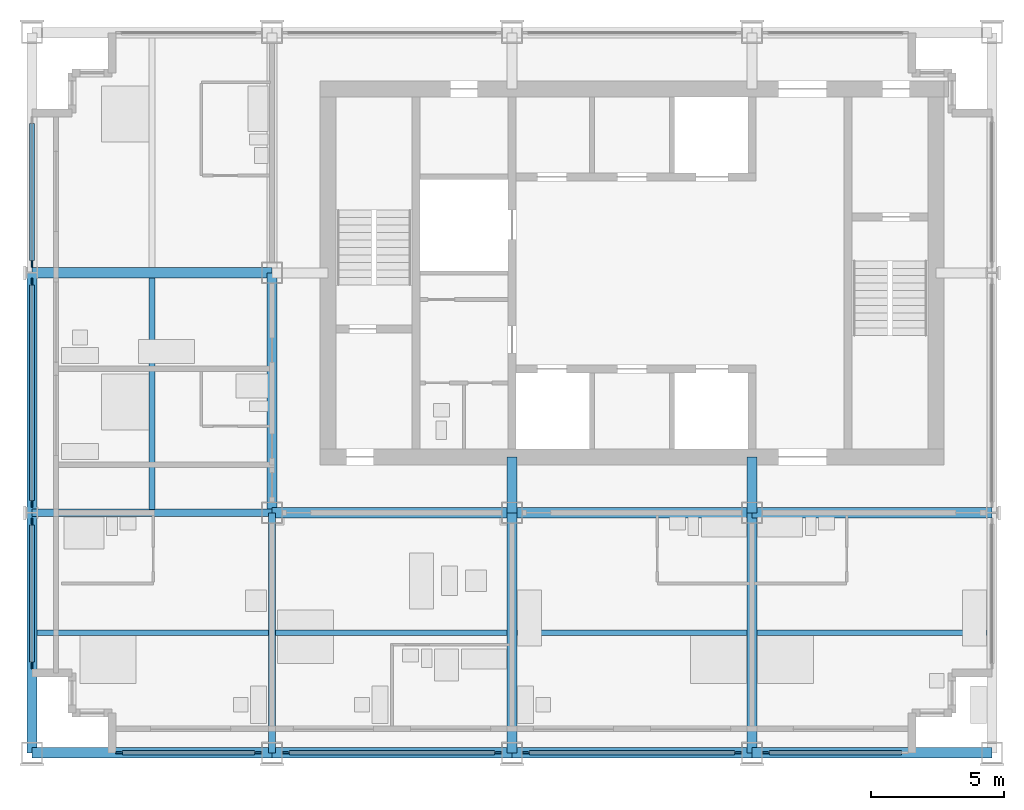
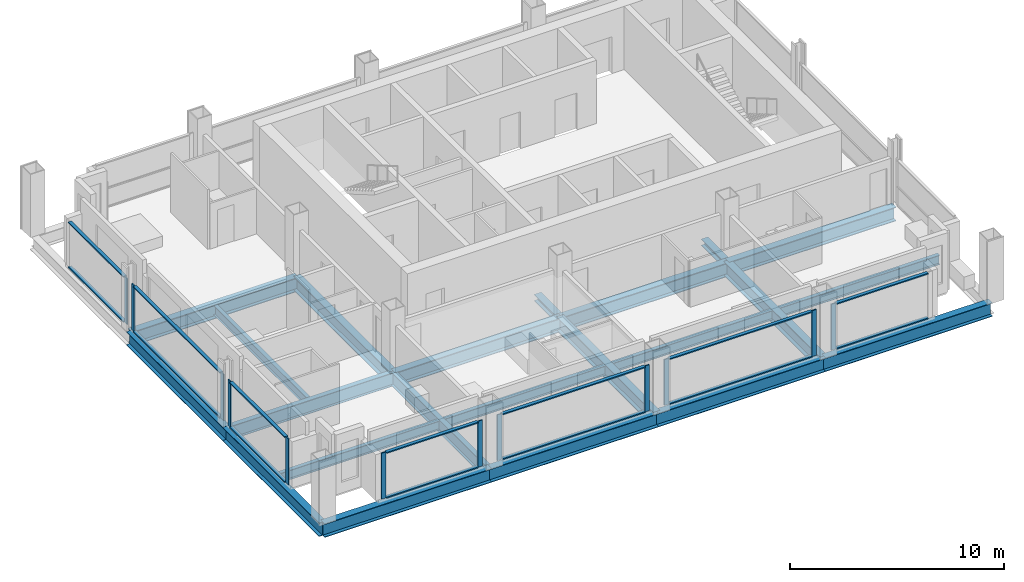
# One storey, part 2 of 11: 28 members, 20 beams, 7 elements without a shape of their own.
"""IFC4 building model written with IfcOpenShell, lengths in metres."""

from ifc_helpers import new_model, si_unit, direction, frame, origin, origin_2d, place, context, subcontext, project, spatial, rectangle, i_section, extrude, material, material_profile, profile_set, type_object, element, aggregate, save


model = new_model("IFC4")

# Units and contexts
model_context = context("Model", 3, precision=1e-05, world=origin(), true_north=direction((0.0, 1.0)))
body_context = subcontext(model_context, "Body", "Model", "MODEL_VIEW")
ifc_project = project(units=[si_unit("LENGTHUNIT", "METRE"), si_unit("AREAUNIT", "SQUARE_METRE"), si_unit("VOLUMEUNIT", "CUBIC_METRE"), si_unit("PLANEANGLEUNIT", "RADIAN"), si_unit("MASSUNIT", "GRAM", prefix="KILO")], contexts=[model_context])

# Site, building, storey
site_placement = place(None, origin())
site = spatial("IfcSite", under=ifc_project, at=site_placement, CompositionType="ELEMENT")
building_placement = place(site_placement, origin())
building = spatial("IfcBuilding", under=site, at=building_placement, Name="Loomwork Tower", CompositionType="ELEMENT")
storey_placement = place(building_placement, frame((0.0, 0.0, 241.0)))
storey = spatial("IfcBuildingStorey", under=building, at=storey_placement, Name="L66", CompositionType="ELEMENT", Elevation=241.0)

# Beams
ifc_material_1 = material(Name="Steel ASTM A992", Category="steel")
ifc_material_profile_1 = material_profile(ifc_material_1, i_section(OverallWidth=0.383544921875, OverallDepth=0.794921875, WebThickness=0.02099609375, FlangeThickness=0.0380859375, at=origin_2d()), Name="W30x235")
ifc_profile_set_1 = profile_set([ifc_material_profile_1], Name="Steel ASTM A992")
beam_type_1 = type_object("IfcBeamType", Name="CORE FLANK GIRDER W30x235", PredefinedType="BEAM", material=ifc_profile_set_1)
for number, where, z_axis, x_axis, name in (
    (1, (9.0, 9.0, -0.597412109375), (1.0, 0.0, 0.0), (0.0, 1.0, 0.0), "Core Flank Girder E/3-E/4 L66"),
    (2, (18.0, 9.0, -0.597412109375), (1.0, 0.0, 0.0), (0.0, 1.0, 0.0), "Core Flank Girder E/4-E/5 L66"),
    (3, (27.0, 9.0, -0.597412109375), (1.0, 0.0, 0.0), (0.0, 1.0, 0.0), "Core Flank Girder E/5-E/6 L66"),
    (4, (0.0, 18.0, -0.597412109375), (1.0, 0.0, 0.0), (0.0, 1.0, 0.0), "Core Flank Girder F/2-F/3 L66"),
    (5, (9.0, 9.0, -0.597412109375), (0.0, 1.0, 0.0), (-1.0, 0.0, 0.0), "Core Flank Girder E/3-F/3 L66"),
    (6, (18.0, 0.0, -0.597412109375), (0.0, 1.0, 0.0), (-1.0, 0.0, 0.0), "Core Flank Girder D/4-E/4 L66"),
    (7, (27.0, 0.0, -0.597412109375), (0.0, 1.0, 0.0), (-1.0, 0.0, 0.0), "Core Flank Girder D/5-E/5 L66"),
):
    element("IfcBeam", number, at=place(storey_placement, frame(where, z_axis=z_axis, x_axis=x_axis)), inside=storey, type_object=beam_type_1, Name=name, PredefinedType="BEAM", context=body_context, shape_type="SweptSolid", body=[
        extrude(i_section(OverallWidth=0.383544921875, OverallDepth=0.794921875, WebThickness=0.02099609375, FlangeThickness=0.0380859375, at=origin_2d()), origin(), (0.0, 0.0, 1.0), 9.0),
    ])

# Members
ifc_material_2 = material(Name="Steel ASTM A992", Category="steel")
ifc_material_profile_2 = material_profile(ifc_material_2, i_section(OverallWidth=0.373291015625, OverallDepth=0.373291015625, WebThickness=0.016357421875, FlangeThickness=0.026123046875, at=origin_2d()), Name="W14x132")
ifc_profile_set_2 = profile_set([ifc_material_profile_2], Name="Steel ASTM A992")
member_type_1 = type_object("IfcMemberType", Name="CORE LINK STRUT W14x132", PredefinedType="STRUT", material=ifc_profile_set_2)
for number, where, z_axis, x_axis, name in (
    (8, (18.0, 9.0, -0.38671875), (0.0, 1.0, 0.0), (-1.0, 0.0, 0.0), "Core link strut E/4-18.000,11.100 L66"),
    (9, (27.0, 9.0, -0.38671875), (0.0, 1.0, 0.0), (-1.0, 0.0, 0.0), "Core link strut E/5-27.000,11.100 L66"),
):
    element("IfcMember", number, at=place(storey_placement, frame(where, z_axis=z_axis, x_axis=x_axis)), inside=storey, type_object=member_type_1, Name=name, PredefinedType="STRUT", context=body_context, shape_type="SweptSolid", body=[
        extrude(i_section(OverallWidth=0.373291015625, OverallDepth=0.373291015625, WebThickness=0.016357421875, FlangeThickness=0.026123046875, at=origin_2d()), origin(), (0.0, 0.0, 1.0), 2.10009765625),
    ])

# Beams
ifc_material_3 = material(Name="Steel ASTM A992", Category="steel")
ifc_material_profile_3 = material_profile(ifc_material_3, i_section(OverallWidth=0.2666015625, OverallDepth=0.761962890625, WebThickness=0.014404296875, FlangeThickness=0.021484375, at=origin_2d()), Name="W30x116")
ifc_profile_set_3 = profile_set([ifc_material_profile_3], Name="Steel ASTM A992")
beam_type_2 = type_object("IfcBeamType", Name="FLOOR GIRDER W30x116", PredefinedType="BEAM", material=ifc_profile_set_3)
for number, where, z_axis, x_axis, name in (
    (10, (0.0, 9.0, -0.5810546875), (1.0, 0.0, 0.0), (0.0, 1.0, 0.0), "Floor Girder E/2-E/3 L66"),
    (11, (9.0, 0.0, -0.5810546875), (0.0, 1.0, 0.0), (-1.0, 0.0, 0.0), "Floor Girder D/3-E/3 L66"),
):
    element("IfcBeam", number, at=place(storey_placement, frame(where, z_axis=z_axis, x_axis=x_axis)), inside=storey, type_object=beam_type_2, Name=name, PredefinedType="BEAM", context=body_context, shape_type="SweptSolid", body=[
        extrude(i_section(OverallWidth=0.2666015625, OverallDepth=0.761962890625, WebThickness=0.014404296875, FlangeThickness=0.021484375, at=origin_2d()), origin(), (0.0, 0.0, 1.0), 9.0),
    ])
ifc_material_4 = material(Name="Steel ASTM A992", Category="steel")
ifc_material_profile_4 = material_profile(ifc_material_4, i_section(OverallWidth=0.2109375, OverallDepth=0.53857421875, WebThickness=0.011474609375, FlangeThickness=0.018798828125, at=origin_2d()), Name="W21x73")
ifc_profile_set_4 = profile_set([ifc_material_profile_4], Name="Steel ASTM A992")
beam_type_3 = type_object("IfcBeamType", Name="FLOOR JOIST W21x73", PredefinedType="JOIST", material=ifc_profile_set_4)
beam_1_placement = place(storey_placement, frame((0.18994140625, 4.5, -0.46923828125), z_axis=(1.0, 0.0, 0.0), x_axis=(0.0, 1.0, 0.0)))
element("IfcBeam", 12, at=beam_1_placement, inside=storey, type_object=beam_type_3, Name="Floor Joist 0.000,4.500-9.000,4.500 L66", PredefinedType="JOIST", context=body_context, shape_type="SweptSolid", body=[
    extrude(i_section(OverallWidth=0.2109375, OverallDepth=0.53857421875, WebThickness=0.011474609375, FlangeThickness=0.018798828125, at=origin_2d()), origin(), (0.0, 0.0, 1.0), 8.677001953125),
])
for number, where, z_axis, x_axis, name in (
    (13, (4.5, 9.133056640625, -0.46923828125), (0.0, 1.0, 0.0), (-1.0, 0.0, 0.0), "Floor Joist 4.500,9.000-4.500,18.000 L66"),
    (14, (9.133056640625, 4.5, -0.46923828125), (1.0, 0.0, 0.0), (0.0, 1.0, 0.0), "Floor Joist 9.000,4.500-18.000,4.500 L66"),
):
    element("IfcBeam", number, at=place(storey_placement, frame(where, z_axis=z_axis, x_axis=x_axis)), inside=storey, type_object=beam_type_3, Name=name, PredefinedType="JOIST", context=body_context, shape_type="SweptSolid", body=[
        extrude(i_section(OverallWidth=0.2109375, OverallDepth=0.53857421875, WebThickness=0.011474609375, FlangeThickness=0.018798828125, at=origin_2d()), origin(), (0.0, 0.0, 1.0), 8.676025390625),
    ])
beam_2_placement = place(storey_placement, frame((18.19091796875, 4.5, -0.46923828125), z_axis=(1.0, 0.0, 0.0), x_axis=(0.0, 1.0, 0.0)))
element("IfcBeam", 15, at=beam_2_placement, inside=storey, type_object=beam_type_3, Name="Floor Joist 18.000,4.500-27.000,4.500 L66", PredefinedType="JOIST", context=body_context, shape_type="SweptSolid", body=[
    extrude(i_section(OverallWidth=0.2109375, OverallDepth=0.53857421875, WebThickness=0.011474609375, FlangeThickness=0.018798828125, at=origin_2d()), origin(), (0.0, 0.0, 1.0), 8.6181640625),
])
beam_3_placement = place(storey_placement, frame((27.19091796875, 4.5, -0.46923828125), z_axis=(1.0, 0.0, 0.0), x_axis=(0.0, 1.0, 0.0)))
element("IfcBeam", 16, at=beam_3_placement, inside=storey, type_object=beam_type_3, Name="Floor Joist 27.000,4.500-36.000,4.500 L66", PredefinedType="JOIST", context=body_context, shape_type="SweptSolid", body=[
    extrude(i_section(OverallWidth=0.2109375, OverallDepth=0.53857421875, WebThickness=0.011474609375, FlangeThickness=0.018798828125, at=origin_2d()), origin(), (0.0, 0.0, 1.0), 8.619140625),
])

# Curtain wall, members
ifc_material_5 = material(Name="Aluminium curtain wall frame", Category="aluminium")
curtain_wall_type = type_object("IfcCurtainWallType", Name="Outer skin glazing suites", PredefinedType="NOTDEFINED", material=ifc_material_5)
curtain_wall_1_placement = place(storey_placement, origin())
curtain_wall_1 = element("IfcCurtainWall", 17, at=curtain_wall_1_placement, inside=storey, type_object=curtain_wall_type, Name="Outer skin glazing suites cw/S-0", PredefinedType="NOTDEFINED")
ifc_material_6 = material(Name="Aluminium curtain wall frame", Category="aluminium")
ifc_material_profile_5 = material_profile(ifc_material_6, rectangle(XDim=0.06494140625, YDim=0.25, at=origin_2d()), Name="AL 65x250")
ifc_profile_set_5 = profile_set([ifc_material_profile_5], Name="Aluminium curtain wall frame")
member_type_2 = type_object("IfcMemberType", Name="Outer skin glazing suites mullion", PredefinedType="MULLION", material=ifc_profile_set_5)
member_1_placement = place(storey_placement, frame((3.27490234375, 0.0, 0.0), z_axis=(0.0, 0.0, 1.0), x_axis=(0.0, 1.0, 0.0)))
member_1 = element("IfcMember", 18, at=member_1_placement, type_object=member_type_2, Name="CW2 mullion 1", PredefinedType="MULLION", context=body_context, shape_type="SweptSolid", body=[
    extrude(rectangle(XDim=0.06494140625, YDim=0.25, at=origin_2d()), origin(), (0.0, 0.0, 1.0), 2.6201171875),
])
member_2_placement = place(storey_placement, frame((8.47509765625, 0.0, 0.0), z_axis=(0.0, 0.0, 1.0), x_axis=(0.0, 1.0, 0.0)))
member_2 = element("IfcMember", 19, at=member_2_placement, type_object=member_type_2, Name="CW2 mullion 2", PredefinedType="MULLION", context=body_context, shape_type="SweptSolid", body=[
    extrude(rectangle(XDim=0.06494140625, YDim=0.25, at=origin_2d()), origin(), (0.0, 0.0, 1.0), 2.6201171875),
])

curtain_wall_2_placement = place(storey_placement, origin())
curtain_wall_2 = element("IfcCurtainWall", 20, at=curtain_wall_2_placement, inside=storey, type_object=curtain_wall_type, Name="Outer skin glazing suites cw/S-9", PredefinedType="NOTDEFINED")
member_3_placement = place(storey_placement, frame((9.52490234375, 0.0, 0.0), z_axis=(0.0, 0.0, 1.0), x_axis=(0.0, 1.0, 0.0)))
member_3 = element("IfcMember", 21, at=member_3_placement, type_object=member_type_2, Name="CW2 mullion 1", PredefinedType="MULLION", context=body_context, shape_type="SweptSolid", body=[
    extrude(rectangle(XDim=0.06494140625, YDim=0.25, at=origin_2d()), origin(), (0.0, 0.0, 1.0), 2.6201171875),
])
member_4_placement = place(storey_placement, frame((17.47509765625, 0.0, 0.0), z_axis=(0.0, 0.0, 1.0), x_axis=(0.0, 1.0, 0.0)))
member_4 = element("IfcMember", 22, at=member_4_placement, type_object=member_type_2, Name="CW2 mullion 2", PredefinedType="MULLION", context=body_context, shape_type="SweptSolid", body=[
    extrude(rectangle(XDim=0.06494140625, YDim=0.25, at=origin_2d()), origin(), (0.0, 0.0, 1.0), 2.6201171875),
])

curtain_wall_3_placement = place(storey_placement, origin())
curtain_wall_3 = element("IfcCurtainWall", 23, at=curtain_wall_3_placement, inside=storey, type_object=curtain_wall_type, Name="Outer skin glazing suites cw/S-18", PredefinedType="NOTDEFINED")
member_5_placement = place(storey_placement, frame((18.52490234375, 0.0, 0.0), z_axis=(0.0, 0.0, 1.0), x_axis=(0.0, 1.0, 0.0)))
member_5 = element("IfcMember", 24, at=member_5_placement, type_object=member_type_2, Name="CW2 mullion 1", PredefinedType="MULLION", context=body_context, shape_type="SweptSolid", body=[
    extrude(rectangle(XDim=0.06494140625, YDim=0.25, at=origin_2d()), origin(), (0.0, 0.0, 1.0), 2.6201171875),
])
member_6_placement = place(storey_placement, frame((26.47509765625, 0.0, 0.0), z_axis=(0.0, 0.0, 1.0), x_axis=(0.0, 1.0, 0.0)))
member_6 = element("IfcMember", 25, at=member_6_placement, type_object=member_type_2, Name="CW2 mullion 2", PredefinedType="MULLION", context=body_context, shape_type="SweptSolid", body=[
    extrude(rectangle(XDim=0.06494140625, YDim=0.25, at=origin_2d()), origin(), (0.0, 0.0, 1.0), 2.6201171875),
])

# Curtain wall, member
curtain_wall_4_placement = place(storey_placement, origin())
curtain_wall_4 = element("IfcCurtainWall", 26, at=curtain_wall_4_placement, inside=storey, type_object=curtain_wall_type, Name="Outer skin glazing suites cw/S-27", PredefinedType="NOTDEFINED")
member_7_placement = place(storey_placement, frame((27.52490234375, 0.0, 0.0), z_axis=(0.0, 0.0, 1.0), x_axis=(0.0, 1.0, 0.0)))
member_7 = element("IfcMember", 27, at=member_7_placement, type_object=member_type_2, Name="CW2 mullion 1", PredefinedType="MULLION", context=body_context, shape_type="SweptSolid", body=[
    extrude(rectangle(XDim=0.06494140625, YDim=0.25, at=origin_2d()), origin(), (0.0, 0.0, 1.0), 2.6201171875),
])

# Curtain wall, members
curtain_wall_5_placement = place(storey_placement, origin())
curtain_wall_5 = element("IfcCurtainWall", 28, at=curtain_wall_5_placement, inside=storey, type_object=curtain_wall_type, Name="Outer skin glazing suites cw/W-0", PredefinedType="NOTDEFINED")
member_8_placement = place(storey_placement, frame((0.0, 8.664306640625, 0.0), z_axis=(0.0, 0.0, 1.0), x_axis=(1.0, 0.0, 0.0)))
member_8 = element("IfcMember", 29, at=member_8_placement, type_object=member_type_2, Name="CW2 mullion 1", PredefinedType="MULLION", context=body_context, shape_type="SweptSolid", body=[
    extrude(rectangle(XDim=0.06494140625, YDim=0.25, at=origin_2d()), origin(), (0.0, 0.0, 1.0), 2.6201171875),
])
member_9_placement = place(storey_placement, frame((0.0, 3.27490234375, 0.0), z_axis=(0.0, 0.0, 1.0), x_axis=(1.0, 0.0, 0.0)))
member_9 = element("IfcMember", 30, at=member_9_placement, type_object=member_type_2, Name="CW2 mullion 2", PredefinedType="MULLION", context=body_context, shape_type="SweptSolid", body=[
    extrude(rectangle(XDim=0.06494140625, YDim=0.25, at=origin_2d()), origin(), (0.0, 0.0, 1.0), 2.6201171875),
])

curtain_wall_6_placement = place(storey_placement, origin())
curtain_wall_6 = element("IfcCurtainWall", 31, at=curtain_wall_6_placement, inside=storey, type_object=curtain_wall_type, Name="Outer skin glazing suites cw/W-9", PredefinedType="NOTDEFINED")
member_10_placement = place(storey_placement, frame((0.0, 17.664306640625, 0.0), z_axis=(0.0, 0.0, 1.0), x_axis=(1.0, 0.0, 0.0)))
member_10 = element("IfcMember", 32, at=member_10_placement, type_object=member_type_2, Name="CW2 mullion 1", PredefinedType="MULLION", context=body_context, shape_type="SweptSolid", body=[
    extrude(rectangle(XDim=0.06494140625, YDim=0.25, at=origin_2d()), origin(), (0.0, 0.0, 1.0), 2.6201171875),
])
member_11_placement = place(storey_placement, frame((0.0, 9.335693359375, 0.0), z_axis=(0.0, 0.0, 1.0), x_axis=(1.0, 0.0, 0.0)))
member_11 = element("IfcMember", 33, at=member_11_placement, type_object=member_type_2, Name="CW2 mullion 2", PredefinedType="MULLION", context=body_context, shape_type="SweptSolid", body=[
    extrude(rectangle(XDim=0.06494140625, YDim=0.25, at=origin_2d()), origin(), (0.0, 0.0, 1.0), 2.6201171875),
])

# Curtain wall, member
curtain_wall_7_placement = place(storey_placement, origin())
curtain_wall_7 = element("IfcCurtainWall", 34, at=curtain_wall_7_placement, inside=storey, type_object=curtain_wall_type, Name="Outer skin glazing suites cw/W-18", PredefinedType="NOTDEFINED")
member_12_placement = place(storey_placement, frame((0.0, 18.335693359375, 0.0), z_axis=(0.0, 0.0, 1.0), x_axis=(1.0, 0.0, 0.0)))
member_12 = element("IfcMember", 35, at=member_12_placement, type_object=member_type_2, Name="CW2 mullion 2", PredefinedType="MULLION", context=body_context, shape_type="SweptSolid", body=[
    extrude(rectangle(XDim=0.06494140625, YDim=0.25, at=origin_2d()), origin(), (0.0, 0.0, 1.0), 2.6201171875),
])

# Member
ifc_material_7 = material(Name="Aluminium curtain wall frame", Category="aluminium")
ifc_material_profile_6 = material_profile(ifc_material_7, rectangle(XDim=0.179931640625, YDim=0.06494140625, at=origin_2d()), Name="AL 65x180")
ifc_profile_set_6 = profile_set([ifc_material_profile_6], Name="Aluminium curtain wall frame")
member_type_3 = type_object("IfcMemberType", Name="Outer skin glazing suites transom", PredefinedType="USERDEFINED", material=ifc_profile_set_6)
member_13_placement = place(storey_placement, frame((3.39990234375, 0.0, 0.032470703125), z_axis=(1.0, 0.0, 0.0), x_axis=(0.0, 1.0, 0.0)))
member_13 = element("IfcMember", 36, at=member_13_placement, type_object=member_type_3, Name="CW2 transom 1.1", ObjectType="TRANSOM", PredefinedType="USERDEFINED", context=body_context, shape_type="SweptSolid", body=[
    extrude(rectangle(XDim=0.179931640625, YDim=0.06494140625, at=origin_2d()), origin(), (0.0, 0.0, 1.0), 4.9501953125),
])

member_14_placement = place(storey_placement, frame((3.39990234375, 0.0, 2.587646484375), z_axis=(1.0, 0.0, 0.0), x_axis=(0.0, 1.0, 0.0)))
member_14 = element("IfcMember", 37, at=member_14_placement, type_object=member_type_3, Name="CW2 transom 1.2", ObjectType="TRANSOM", PredefinedType="USERDEFINED", context=body_context, shape_type="SweptSolid", body=[
    extrude(rectangle(XDim=0.179931640625, YDim=0.06494140625, at=origin_2d()), origin(), (0.0, 0.0, 1.0), 4.9501953125),
])

aggregate(curtain_wall_1, [member_1, member_2, member_13, member_14])

member_15_placement = place(storey_placement, frame((9.64990234375, 0.0, 0.032470703125), z_axis=(1.0, 0.0, 0.0), x_axis=(0.0, 1.0, 0.0)))
member_15 = element("IfcMember", 38, at=member_15_placement, type_object=member_type_3, Name="CW2 transom 1.1", ObjectType="TRANSOM", PredefinedType="USERDEFINED", context=body_context, shape_type="SweptSolid", body=[
    extrude(rectangle(XDim=0.179931640625, YDim=0.06494140625, at=origin_2d()), origin(), (0.0, 0.0, 1.0), 7.7001953125),
])

member_16_placement = place(storey_placement, frame((9.64990234375, 0.0, 2.587646484375), z_axis=(1.0, 0.0, 0.0), x_axis=(0.0, 1.0, 0.0)))
member_16 = element("IfcMember", 39, at=member_16_placement, type_object=member_type_3, Name="CW2 transom 1.2", ObjectType="TRANSOM", PredefinedType="USERDEFINED", context=body_context, shape_type="SweptSolid", body=[
    extrude(rectangle(XDim=0.179931640625, YDim=0.06494140625, at=origin_2d()), origin(), (0.0, 0.0, 1.0), 7.7001953125),
])

aggregate(curtain_wall_2, [member_3, member_4, member_15, member_16])

member_17_placement = place(storey_placement, frame((18.64990234375, 0.0, 0.032470703125), z_axis=(1.0, 0.0, 0.0), x_axis=(0.0, 1.0, 0.0)))
member_17 = element("IfcMember", 40, at=member_17_placement, type_object=member_type_3, Name="CW2 transom 1.1", ObjectType="TRANSOM", PredefinedType="USERDEFINED", context=body_context, shape_type="SweptSolid", body=[
    extrude(rectangle(XDim=0.179931640625, YDim=0.06494140625, at=origin_2d()), origin(), (0.0, 0.0, 1.0), 7.7001953125),
])

member_18_placement = place(storey_placement, frame((18.64990234375, 0.0, 2.587646484375), z_axis=(1.0, 0.0, 0.0), x_axis=(0.0, 1.0, 0.0)))
member_18 = element("IfcMember", 41, at=member_18_placement, type_object=member_type_3, Name="CW2 transom 1.2", ObjectType="TRANSOM", PredefinedType="USERDEFINED", context=body_context, shape_type="SweptSolid", body=[
    extrude(rectangle(XDim=0.179931640625, YDim=0.06494140625, at=origin_2d()), origin(), (0.0, 0.0, 1.0), 7.7001953125),
])

aggregate(curtain_wall_3, [member_5, member_6, member_17, member_18])

member_19_placement = place(storey_placement, frame((27.64990234375, 0.0, 0.032470703125), z_axis=(1.0, 0.0, 0.0), x_axis=(0.0, 1.0, 0.0)))
member_19 = element("IfcMember", 42, at=member_19_placement, type_object=member_type_3, Name="CW2 transom 1.1", ObjectType="TRANSOM", PredefinedType="USERDEFINED", context=body_context, shape_type="SweptSolid", body=[
    extrude(rectangle(XDim=0.179931640625, YDim=0.06494140625, at=origin_2d()), origin(), (0.0, 0.0, 1.0), 4.9501953125),
])

member_20_placement = place(storey_placement, frame((27.64990234375, 0.0, 2.587646484375), z_axis=(1.0, 0.0, 0.0), x_axis=(0.0, 1.0, 0.0)))
member_20 = element("IfcMember", 43, at=member_20_placement, type_object=member_type_3, Name="CW2 transom 1.2", ObjectType="TRANSOM", PredefinedType="USERDEFINED", context=body_context, shape_type="SweptSolid", body=[
    extrude(rectangle(XDim=0.179931640625, YDim=0.06494140625, at=origin_2d()), origin(), (0.0, 0.0, 1.0), 4.9501953125),
])

aggregate(curtain_wall_4, [member_7, member_19, member_20])

member_21_placement = place(storey_placement, frame((0.0, 8.539306640625, 0.032470703125), z_axis=(0.0, -1.0, 0.0), x_axis=(1.0, 0.0, 0.0)))
member_21 = element("IfcMember", 44, at=member_21_placement, type_object=member_type_3, Name="CW2 transom 1.1", ObjectType="TRANSOM", PredefinedType="USERDEFINED", context=body_context, shape_type="SweptSolid", body=[
    extrude(rectangle(XDim=0.179931640625, YDim=0.06494140625, at=origin_2d()), origin(), (0.0, 0.0, 1.0), 5.139404296875),
])

member_22_placement = place(storey_placement, frame((0.0, 8.539306640625, 2.587646484375), z_axis=(0.0, -1.0, 0.0), x_axis=(1.0, 0.0, 0.0)))
member_22 = element("IfcMember", 45, at=member_22_placement, type_object=member_type_3, Name="CW2 transom 1.2", ObjectType="TRANSOM", PredefinedType="USERDEFINED", context=body_context, shape_type="SweptSolid", body=[
    extrude(rectangle(XDim=0.179931640625, YDim=0.06494140625, at=origin_2d()), origin(), (0.0, 0.0, 1.0), 5.139404296875),
])

aggregate(curtain_wall_5, [member_8, member_9, member_21, member_22])

member_23_placement = place(storey_placement, frame((0.0, 17.539306640625, 0.032470703125), z_axis=(0.0, -1.0, 0.0), x_axis=(1.0, 0.0, 0.0)))
member_23 = element("IfcMember", 46, at=member_23_placement, type_object=member_type_3, Name="CW2 transom 1.1", ObjectType="TRANSOM", PredefinedType="USERDEFINED", context=body_context, shape_type="SweptSolid", body=[
    extrude(rectangle(XDim=0.179931640625, YDim=0.06494140625, at=origin_2d()), origin(), (0.0, 0.0, 1.0), 8.07861328125),
])

member_24_placement = place(storey_placement, frame((0.0, 17.539306640625, 2.587646484375), z_axis=(0.0, -1.0, 0.0), x_axis=(1.0, 0.0, 0.0)))
member_24 = element("IfcMember", 47, at=member_24_placement, type_object=member_type_3, Name="CW2 transom 1.2", ObjectType="TRANSOM", PredefinedType="USERDEFINED", context=body_context, shape_type="SweptSolid", body=[
    extrude(rectangle(XDim=0.179931640625, YDim=0.06494140625, at=origin_2d()), origin(), (0.0, 0.0, 1.0), 8.07861328125),
])

aggregate(curtain_wall_6, [member_10, member_11, member_23, member_24])

member_25_placement = place(storey_placement, frame((0.0, 23.60009765625, 0.032470703125), z_axis=(0.0, -1.0, 0.0), x_axis=(1.0, 0.0, 0.0)))
member_25 = element("IfcMember", 48, at=member_25_placement, type_object=member_type_3, Name="CW2 transom 1.1", ObjectType="TRANSOM", PredefinedType="USERDEFINED", context=body_context, shape_type="SweptSolid", body=[
    extrude(rectangle(XDim=0.179931640625, YDim=0.06494140625, at=origin_2d()), origin(), (0.0, 0.0, 1.0), 5.139404296875),
])

member_26_placement = place(storey_placement, frame((0.0, 23.60009765625, 2.587646484375), z_axis=(0.0, -1.0, 0.0), x_axis=(1.0, 0.0, 0.0)))
member_26 = element("IfcMember", 49, at=member_26_placement, type_object=member_type_3, Name="CW2 transom 1.2", ObjectType="TRANSOM", PredefinedType="USERDEFINED", context=body_context, shape_type="SweptSolid", body=[
    extrude(rectangle(XDim=0.179931640625, YDim=0.06494140625, at=origin_2d()), origin(), (0.0, 0.0, 1.0), 5.139404296875),
])

aggregate(curtain_wall_7, [member_12, member_25, member_26])

# Beams
ifc_material_8 = material(Name="Steel ASTM A992", Category="steel")
ifc_material_profile_7 = material_profile(ifc_material_8, i_section(OverallWidth=0.381103515625, OverallDepth=0.77978515625, WebThickness=0.01806640625, FlangeThickness=0.0302734375, at=origin_2d()), Name="W30x191")
ifc_profile_set_7 = profile_set([ifc_material_profile_7], Name="Steel ASTM A992")
beam_type_4 = type_object("IfcBeamType", Name="SPANDREL GIRDER W30x191", PredefinedType="SPANDREL", material=ifc_profile_set_7)
for number, where, z_axis, x_axis, name in (
    (50, (0.0, 0.0, -0.58984375), (1.0, 0.0, 0.0), (0.0, 1.0, 0.0), "Spandrel Girder D/2-D/3 L66"),
    (51, (9.0, 0.0, -0.58984375), (1.0, 0.0, 0.0), (0.0, 1.0, 0.0), "Spandrel Girder D/3-D/4 L66"),
    (52, (18.0, 0.0, -0.58984375), (1.0, 0.0, 0.0), (0.0, 1.0, 0.0), "Spandrel Girder D/4-D/5 L66"),
    (53, (27.0, 0.0, -0.58984375), (1.0, 0.0, 0.0), (0.0, 1.0, 0.0), "Spandrel Girder D/5-D/6 L66"),
    (54, (0.0, 0.0, -0.58984375), (0.0, 1.0, 0.0), (-1.0, 0.0, 0.0), "Spandrel Girder D/2-E/2 L66"),
    (55, (0.0, 9.0, -0.58984375), (0.0, 1.0, 0.0), (-1.0, 0.0, 0.0), "Spandrel Girder E/2-F/2 L66"),
):
    element("IfcBeam", number, at=place(storey_placement, frame(where, z_axis=z_axis, x_axis=x_axis)), inside=storey, type_object=beam_type_4, Name=name, PredefinedType="SPANDREL", context=body_context, shape_type="SweptSolid", body=[
        extrude(i_section(OverallWidth=0.381103515625, OverallDepth=0.77978515625, WebThickness=0.01806640625, FlangeThickness=0.0302734375, at=origin_2d()), origin(), (0.0, 0.0, 1.0), 9.0),
    ])

save(model, "model.ifc")
